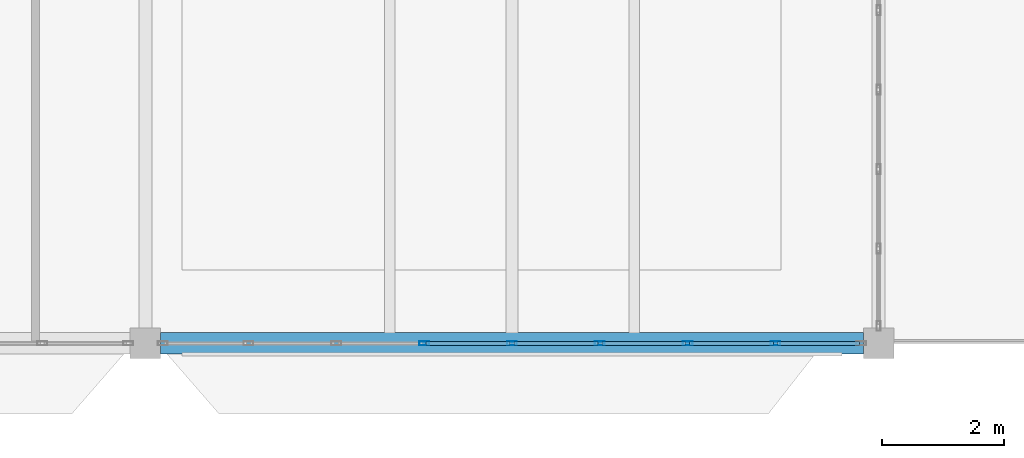
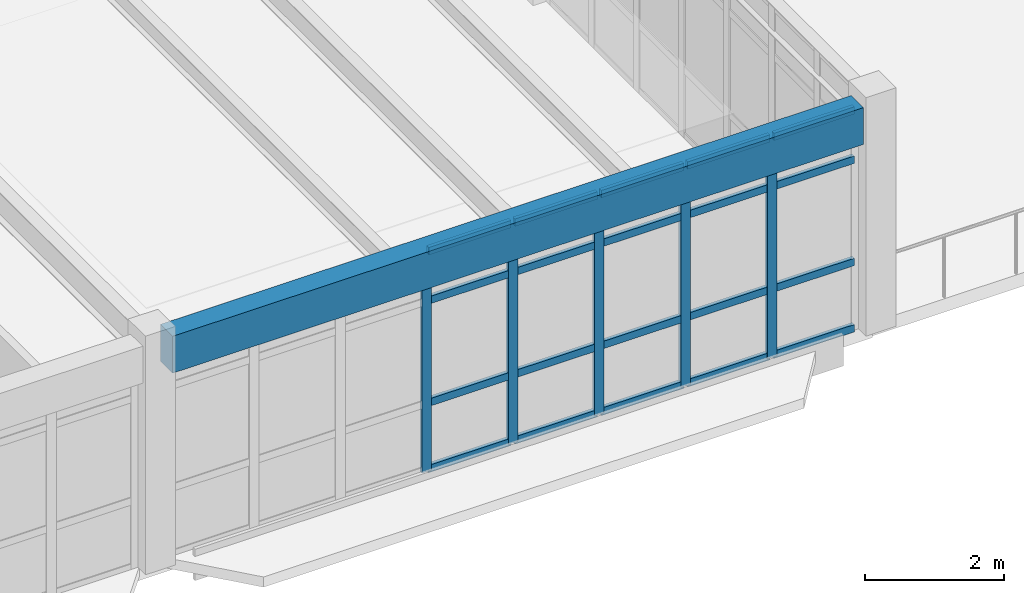
# One storey, part 11 of 83: 25 members, 1 beam, 1 element without a shape of its own.
"""IFC4 building model written with IfcOpenShell, lengths in metres."""

import ifcopenshell
import ifcopenshell.guid

model = None  # the IFC model being written
_history = None  # IfcOwnerHistory: only IFC2X3 demands one
_inside = {}  # id of a spatial element -> (the spatial element, [elements in it])
_under = {}  # id of a project, library or spatial element -> (it, [spatial elements below it])
_declared = {}  # id of a project -> (the project, [libraries it declares])
_typed = {}  # id of a type object -> (the type object, [elements of that type])
_made_of = {}  # id of a material, layer set ... -> (it, [elements and type objects made of it])


def new_model(schema):
    """Start an empty IFC model of exactly this schema.

    Asked for "IFC4X3", IfcOpenShell would pick the latest addendum, in which some entities
    have other attributes; the version numbers below select the first issue.
    IFC2X3 requires an IfcOwnerHistory on every rooted entity: one is made here for all.
    """
    global model, _history
    if schema == "IFC4X3":
        model = ifcopenshell.file(schema_version=(4, 3, 0, 0))
    else:
        model = ifcopenshell.file(schema=schema)
    _inside.clear()
    _under.clear()
    _declared.clear()
    _typed.clear()
    _made_of.clear()
    _history = None
    if model.schema == "IFC2X3":
        org = make("IfcOrganization", Name="unknown")
        user = make(
            "IfcPersonAndOrganization",
            ThePerson=make("IfcPerson", FamilyName="unknown"),
            TheOrganization=org,
        )
        app = make(
            "IfcApplication",
            ApplicationDeveloper=org,
            Version="unknown",
            ApplicationFullName="unknown",
            ApplicationIdentifier="unknown",
        )
        _history = make(
            "IfcOwnerHistory",
            OwningUser=user,
            OwningApplication=app,
            ChangeAction="ADDED",
            CreationDate=0,
        )
    return model


def make(cls, **values):
    """One entity of the class cls with the attributes given. An attribute that is None is left unset."""
    return model.create_entity(
        cls, **{name: value for name, value in values.items() if value is not None}
    )


def rooted(cls, **values):
    """An entity with a GlobalId (a new one), such as an element, a storey or a relation."""
    return make(cls, GlobalId=ifcopenshell.guid.new(), OwnerHistory=_history, **values)


def si_unit(unit_type, name, prefix=None):
    """IfcSIUnit, for example si_unit("LENGTHUNIT", "METRE", prefix="MILLI")."""
    return make("IfcSIUnit", UnitType=unit_type, Prefix=prefix, Name=name)


def assignment(units):
    """IfcUnitAssignment: the units of a project."""
    return None if units is None else make("IfcUnitAssignment", Units=units)


def point(xyz):
    """IfcCartesianPoint."""
    return None if xyz is None else make("IfcCartesianPoint", Coordinates=xyz)


def direction(xyz):
    """IfcDirection."""
    return None if xyz is None else make("IfcDirection", DirectionRatios=xyz)


def frame(location, z_axis=None, x_axis=None):
    """IfcAxis2Placement3D, a coordinate frame: its origin and axes. An axis left out is left unset."""
    return make(
        "IfcAxis2Placement3D",
        Location=point(location),
        Axis=direction(z_axis),
        RefDirection=direction(x_axis),
    )


def frame_2d(location, x_axis=None):
    """IfcAxis2Placement2D, a coordinate frame in the plane: its origin and x axis."""
    return make(
        "IfcAxis2Placement2D", Location=point(location), RefDirection=direction(x_axis)
    )


def origin():
    """The frame at (0, 0, 0) with its axes left unset."""
    return frame((0.0, 0.0, 0.0))


def origin_2d():
    """The frame at (0, 0) in the plane with its x axis left unset."""
    return frame_2d((0.0, 0.0))


def place(relative_to, where):
    """IfcLocalPlacement: puts the frame where relative to a parent placement (None: the world)."""
    return make(
        "IfcLocalPlacement", PlacementRelTo=relative_to, RelativePlacement=where
    )


def context(
    kind, dimensions, precision=None, world=None, true_north=None, identifier=None
):
    """IfcGeometricRepresentationContext, for example the 3D "Model" context."""
    return make(
        "IfcGeometricRepresentationContext",
        ContextIdentifier=identifier,
        ContextType=kind,
        CoordinateSpaceDimension=dimensions,
        Precision=precision,
        WorldCoordinateSystem=world,
        TrueNorth=true_north,
    )


def subcontext(parent, identifier, kind, view, scale=None):
    """IfcGeometricRepresentationSubContext, for example "Body" below "Model"."""
    return make(
        "IfcGeometricRepresentationSubContext",
        ContextIdentifier=identifier,
        ContextType=kind,
        ParentContext=parent,
        TargetScale=scale,
        TargetView=view,
    )


def project(units=None, contexts=None):
    """IfcProject with its units and contexts."""
    return rooted(
        "IfcProject",
        Name="project",
        RepresentationContexts=contexts,
        UnitsInContext=assignment(units),
    )


def spatial(cls, under=None, at=None, **own):
    """A site, building, storey or space (cls), placed at a placement, below another one or the project."""
    s = rooted(cls, ObjectPlacement=at, **own)
    if under is not None:
        _under.setdefault(under.id(), (under, []))[1].append(s)
    return s


def profile(cls, at=None, kind="AREA", **sizes):
    """A parametric profile (cls). Its sizes go by their IFC names, for example OverallWidth=200.0."""
    return make(cls, ProfileType=kind, Position=at, **sizes)


def rectangle(**sizes):
    """IfcRectangleProfileDef."""
    return profile("IfcRectangleProfileDef", **sizes)


def hollow_rectangle(**sizes):
    """IfcRectangleHollowProfileDef."""
    return profile("IfcRectangleHollowProfileDef", **sizes)


def extrude(swept, where, along, depth):
    """IfcExtrudedAreaSolid: the profile swept, set in the frame where, extruded along a direction by depth."""
    return make(
        "IfcExtrudedAreaSolid",
        SweptArea=swept,
        Position=where,
        ExtrudedDirection=direction(along),
        Depth=depth,
    )


def shape(context_of_items, identifier, shape_type, items):
    """IfcShapeRepresentation: the items that make up one representation, for example the "Body"."""
    return make(
        "IfcShapeRepresentation",
        ContextOfItems=context_of_items,
        RepresentationIdentifier=identifier,
        RepresentationType=shape_type,
        Items=items,
    )


def material(Name=None, Category=None):
    """IfcMaterial."""
    return make("IfcMaterial", Name=Name, Category=Category)


def layer(
    of_material, thickness, ventilated=None, Name=None, Category=None, Priority=None
):
    """IfcMaterialLayer: one layer of a wall or slab, of a material (None: an air gap)."""
    return make(
        "IfcMaterialLayer",
        Material=of_material,
        LayerThickness=thickness,
        IsVentilated=ventilated,
        Name=Name,
        Category=Category,
        Priority=Priority,
    )


def layer_set(layers, Name=None):
    """IfcMaterialLayerSet."""
    return make("IfcMaterialLayerSet", MaterialLayers=layers, LayerSetName=Name)


def material_profile(
    of_material, cross_section, Name=None, Category=None, Priority=None
):
    """IfcMaterialProfile: a cross section and its material."""
    return make(
        "IfcMaterialProfile",
        Name=Name,
        Material=of_material,
        Profile=cross_section,
        Priority=Priority,
        Category=Category,
    )


def profile_set(profiles, Name=None, composite=None):
    """IfcMaterialProfileSet."""
    return make(
        "IfcMaterialProfileSet",
        Name=Name,
        MaterialProfiles=profiles,
        CompositeProfile=composite,
    )


def made_of(thing, what):
    """Note that an element or type object is made of a material, layer set ...; save() writes the relation."""
    if what is not None:
        _made_of.setdefault(what.id(), (what, []))[1].append(thing)
    return thing


def type_object(cls, material=None, **own):
    """A type object (cls), such as IfcWallType, which elements share."""
    return made_of(rooted(cls, **own), material)


def element(
    cls,
    number,
    at=None,
    inside=None,
    cuts=None,
    type_object=None,
    material=None,
    context=None,
    identifier="Body",
    shape_type=None,
    held_by="IfcProductDefinitionShape",
    body=None,
    shapes=None,
    **own,
):
    """One element of the class cls, such as IfcWall. Its Tag is "e" and its number.

    at: its placement. inside: the storey or other place that contains it. cuts: it is an
    opening in that element (IfcRelVoidsElement). A single representation is given by context,
    identifier, shape_type and body (its items); several are given by shapes. held_by: the class
    of the entity that holds the representations. save() writes the other relations.
    """
    e = rooted(cls, Tag="e%d" % number, ObjectPlacement=at, **own)
    if body is not None:
        shapes = [shape(context, identifier, shape_type, body)]
    if shapes is not None:
        e.Representation = make(held_by, Representations=shapes)
    if inside is not None:
        _inside.setdefault(inside.id(), (inside, []))[1].append(e)
    if cuts is not None:
        rooted(
            "IfcRelVoidsElement", RelatingBuildingElement=cuts, RelatedOpeningElement=e
        )
    if type_object is not None:
        _typed.setdefault(type_object.id(), (type_object, []))[1].append(e)
    return made_of(e, material)


def aggregate(whole, parts):
    """IfcRelAggregates: a whole, such as a stair, and the parts it consists of."""
    return rooted("IfcRelAggregates", RelatingObject=whole, RelatedObjects=parts)


def save(model, path):
    """Write the relations noted so far, then the file.

    IfcRelAggregates (storeys below a building ...), IfcRelContainedInSpatialStructure (elements
    in a storey), IfcRelDefinesByType, IfcRelAssociatesMaterial and IfcRelDeclares: one each for
    every whole, place, type object, material and project.
    """
    for whole, parts in _under.values():
        aggregate(whole, parts)
    for where, things in _inside.values():
        rooted(
            "IfcRelContainedInSpatialStructure",
            RelatedElements=things,
            RelatingStructure=where,
        )
    for kind, things in _typed.values():
        rooted("IfcRelDefinesByType", RelatedObjects=things, RelatingType=kind)
    for what, things in _made_of.values():
        rooted("IfcRelAssociatesMaterial", RelatedObjects=things, RelatingMaterial=what)
    for by, libraries in _declared.values():
        rooted("IfcRelDeclares", RelatingContext=by, RelatedDefinitions=libraries)
    model.write(path)


model = new_model("IFC4")

# Units and contexts
model_context = context("Model", 3, precision=1e-05, world=origin(), true_north=direction((0.0, 1.0)))
body_context = subcontext(model_context, "Body", "Model", "MODEL_VIEW")
ifc_project = project(units=[si_unit("LENGTHUNIT", "METRE"), si_unit("AREAUNIT", "SQUARE_METRE"), si_unit("VOLUMEUNIT", "CUBIC_METRE"), si_unit("PLANEANGLEUNIT", "RADIAN"), si_unit("MASSUNIT", "GRAM", prefix="KILO")], contexts=[model_context])

# Site, building, storey
site_placement = place(None, origin())
site = spatial("IfcSite", under=ifc_project, at=site_placement, CompositionType="ELEMENT")
building_placement = place(site_placement, origin())
building = spatial("IfcBuilding", under=site, at=building_placement, Name="Pandanus Reach Market Hall", CompositionType="ELEMENT")
storey_placement = place(building_placement, frame((0.0, 0.0, 10.199951171875)))
storey = spatial("IfcBuildingStorey", under=building, at=storey_placement, Name="L02", CompositionType="ELEMENT", Elevation=10.199951171875)

# Beam
ifc_material_1 = material(Name="Concrete N40 (40 MPa)", Category="concrete")
ifc_material_profile_1 = material_profile(ifc_material_1, rectangle(XDim=0.35009765625, YDim=0.64990234375, at=origin_2d()), Name="RC350x650", Category="LoadBearing")
ifc_profile_set_1 = profile_set([ifc_material_profile_1], Name="Concrete N40 (40 MPa)")
beam_type = type_object("IfcBeamType", Name="BM-RC350-E", PredefinedType="SPANDREL", material=ifc_profile_set_1)
beam_placement = place(storey_placement, frame((12.248046875, 0.0, 3.655029296875), z_axis=(1.0, 0.0, 0.0), x_axis=(0.0, 1.0, 0.0)))
element("IfcBeam", 1, at=beam_placement, inside=storey, type_object=beam_type, Name="Framing beam BM-RC350-E L02.1012", PredefinedType="SPANDREL", context=body_context, shape_type="SweptSolid", body=[
    extrude(rectangle(XDim=0.35009765625, YDim=0.64990234375, at=origin_2d()), origin(), (0.0, 0.0, 1.0), 11.50390625),
])

# Curtain wall, members
ifc_material_2 = material(Name="Bronze anodised aluminium and low-E glass", Category="aluminium")
ifc_layer = layer(ifc_material_2, 0.159912109375, Name="CW-21")
ifc_layer_set = layer_set([ifc_layer], Name="Bronze anodised aluminium and low-E glass")
curtain_wall_type = type_object("IfcCurtainWallType", Name="CW-21", PredefinedType="NOTDEFINED", material=ifc_layer_set)
curtain_wall_placement = place(storey_placement, origin())
curtain_wall = element("IfcCurtainWall", 2, at=curtain_wall_placement, inside=storey, type_object=curtain_wall_type, Name="Glazed curtain wall CW-21 CW-0064", PredefinedType="NOTDEFINED")
ifc_material_3 = material(Name="Bronze anodised aluminium", Category="aluminium")
ifc_material_profile_2 = material_profile(ifc_material_3, hollow_rectangle(XDim=0.06494140625, YDim=0.159912109375, WallThickness=0.00390625, at=origin_2d()), Name="ALU65x160", Category="LoadBearing")
ifc_profile_set_2 = profile_set([ifc_material_profile_2], Name="Bronze anodised aluminium")
member_type_1 = type_object("IfcMemberType", Name="CW-M1", PredefinedType="MULLION", material=ifc_profile_set_2)
member_1_placement = place(storey_placement, frame((16.5625, 0.0, 0.0), z_axis=(0.0, 0.0, 1.0), x_axis=(0.0, 1.0, 0.0)))
member_1 = element("IfcMember", 3, at=member_1_placement, type_object=member_type_1, Name="CW-21 mullion 4", PredefinedType="MULLION", context=body_context, shape_type="SweptSolid", body=[
    extrude(hollow_rectangle(XDim=0.06494140625, YDim=0.159912109375, WallThickness=0.00390625, at=origin_2d()), origin(), (0.0, 0.0, 1.0), 3.900146484375),
])
member_2_placement = place(storey_placement, frame((18.0, 0.0, 0.0), z_axis=(0.0, 0.0, 1.0), x_axis=(0.0, 1.0, 0.0)))
member_2 = element("IfcMember", 4, at=member_2_placement, type_object=member_type_1, Name="CW-21 mullion 5", PredefinedType="MULLION", context=body_context, shape_type="SweptSolid", body=[
    extrude(hollow_rectangle(XDim=0.06494140625, YDim=0.159912109375, WallThickness=0.00390625, at=origin_2d()), origin(), (0.0, 0.0, 1.0), 3.900146484375),
])
member_3_placement = place(storey_placement, frame((19.4375, 0.0, 0.0), z_axis=(0.0, 0.0, 1.0), x_axis=(0.0, 1.0, 0.0)))
member_3 = element("IfcMember", 5, at=member_3_placement, type_object=member_type_1, Name="CW-21 mullion 6", PredefinedType="MULLION", context=body_context, shape_type="SweptSolid", body=[
    extrude(hollow_rectangle(XDim=0.06494140625, YDim=0.159912109375, WallThickness=0.00390625, at=origin_2d()), origin(), (0.0, 0.0, 1.0), 3.900146484375),
])
member_4_placement = place(storey_placement, frame((20.875, 0.0, 0.0), z_axis=(0.0, 0.0, 1.0), x_axis=(0.0, 1.0, 0.0)))
member_4 = element("IfcMember", 6, at=member_4_placement, type_object=member_type_1, Name="CW-21 mullion 7", PredefinedType="MULLION", context=body_context, shape_type="SweptSolid", body=[
    extrude(hollow_rectangle(XDim=0.06494140625, YDim=0.159912109375, WallThickness=0.00390625, at=origin_2d()), origin(), (0.0, 0.0, 1.0), 3.900146484375),
])
member_5_placement = place(storey_placement, frame((22.3125, 0.0, 0.0), z_axis=(0.0, 0.0, 1.0), x_axis=(0.0, 1.0, 0.0)))
member_5 = element("IfcMember", 7, at=member_5_placement, type_object=member_type_1, Name="CW-21 mullion 8", PredefinedType="MULLION", context=body_context, shape_type="SweptSolid", body=[
    extrude(hollow_rectangle(XDim=0.06494140625, YDim=0.159912109375, WallThickness=0.00390625, at=origin_2d()), origin(), (0.0, 0.0, 1.0), 3.900146484375),
])
ifc_material_profile_3 = material_profile(ifc_material_3, hollow_rectangle(XDim=0.06494140625, YDim=0.1298828125, WallThickness=0.00390625, at=origin_2d()), Name="ALU65x130", Category="LoadBearing")
ifc_profile_set_3 = profile_set([ifc_material_profile_3], Name="Bronze anodised aluminium")
member_type_2 = type_object("IfcMemberType", Name="CW-T1", PredefinedType="USERDEFINED", material=ifc_profile_set_3)
member_6_placement = place(storey_placement, frame((16.594970703125, 0.0, 0.032470703125), z_axis=(1.0, 0.0, 0.0), x_axis=(0.0, 1.0, 0.0)))
member_6 = element("IfcMember", 8, at=member_6_placement, type_object=member_type_2, Name="CW-21 transom 4.1", ObjectType="TRANSOM", PredefinedType="USERDEFINED", context=body_context, shape_type="SweptSolid", body=[
    extrude(hollow_rectangle(XDim=0.06494140625, YDim=0.1298828125, WallThickness=0.00390625, at=origin_2d()), origin(), (0.0, 0.0, 1.0), 1.37255859375),
])
member_7_placement = place(storey_placement, frame((16.594970703125, 0.0, 1.199951171875), z_axis=(1.0, 0.0, 0.0), x_axis=(0.0, 1.0, 0.0)))
member_7 = element("IfcMember", 9, at=member_7_placement, type_object=member_type_2, Name="CW-21 transom 4.2", ObjectType="TRANSOM", PredefinedType="USERDEFINED", context=body_context, shape_type="SweptSolid", body=[
    extrude(hollow_rectangle(XDim=0.06494140625, YDim=0.1298828125, WallThickness=0.00390625, at=origin_2d()), origin(), (0.0, 0.0, 1.0), 1.37255859375),
])
member_8_placement = place(storey_placement, frame((16.594970703125, 0.0, 3.0), z_axis=(1.0, 0.0, 0.0), x_axis=(0.0, 1.0, 0.0)))
member_8 = element("IfcMember", 10, at=member_8_placement, type_object=member_type_2, Name="CW-21 transom 4.3", ObjectType="TRANSOM", PredefinedType="USERDEFINED", context=body_context, shape_type="SweptSolid", body=[
    extrude(hollow_rectangle(XDim=0.06494140625, YDim=0.1298828125, WallThickness=0.00390625, at=origin_2d()), origin(), (0.0, 0.0, 1.0), 1.37255859375),
])
member_9_placement = place(storey_placement, frame((16.594970703125, 0.0, 3.867431640625), z_axis=(1.0, 0.0, 0.0), x_axis=(0.0, 1.0, 0.0)))
member_9 = element("IfcMember", 11, at=member_9_placement, type_object=member_type_2, Name="CW-21 transom 4.4", ObjectType="TRANSOM", PredefinedType="USERDEFINED", context=body_context, shape_type="SweptSolid", body=[
    extrude(hollow_rectangle(XDim=0.06494140625, YDim=0.1298828125, WallThickness=0.00390625, at=origin_2d()), origin(), (0.0, 0.0, 1.0), 1.37255859375),
])
member_10_placement = place(storey_placement, frame((18.032470703125, 0.0, 0.032470703125), z_axis=(1.0, 0.0, 0.0), x_axis=(0.0, 1.0, 0.0)))
member_10 = element("IfcMember", 12, at=member_10_placement, type_object=member_type_2, Name="CW-21 transom 5.1", ObjectType="TRANSOM", PredefinedType="USERDEFINED", context=body_context, shape_type="SweptSolid", body=[
    extrude(hollow_rectangle(XDim=0.06494140625, YDim=0.1298828125, WallThickness=0.00390625, at=origin_2d()), origin(), (0.0, 0.0, 1.0), 1.37255859375),
])
member_11_placement = place(storey_placement, frame((18.032470703125, 0.0, 1.199951171875), z_axis=(1.0, 0.0, 0.0), x_axis=(0.0, 1.0, 0.0)))
member_11 = element("IfcMember", 13, at=member_11_placement, type_object=member_type_2, Name="CW-21 transom 5.2", ObjectType="TRANSOM", PredefinedType="USERDEFINED", context=body_context, shape_type="SweptSolid", body=[
    extrude(hollow_rectangle(XDim=0.06494140625, YDim=0.1298828125, WallThickness=0.00390625, at=origin_2d()), origin(), (0.0, 0.0, 1.0), 1.37255859375),
])
member_12_placement = place(storey_placement, frame((18.032470703125, 0.0, 3.0), z_axis=(1.0, 0.0, 0.0), x_axis=(0.0, 1.0, 0.0)))
member_12 = element("IfcMember", 14, at=member_12_placement, type_object=member_type_2, Name="CW-21 transom 5.3", ObjectType="TRANSOM", PredefinedType="USERDEFINED", context=body_context, shape_type="SweptSolid", body=[
    extrude(hollow_rectangle(XDim=0.06494140625, YDim=0.1298828125, WallThickness=0.00390625, at=origin_2d()), origin(), (0.0, 0.0, 1.0), 1.37255859375),
])
member_13_placement = place(storey_placement, frame((18.032470703125, 0.0, 3.867431640625), z_axis=(1.0, 0.0, 0.0), x_axis=(0.0, 1.0, 0.0)))
member_13 = element("IfcMember", 15, at=member_13_placement, type_object=member_type_2, Name="CW-21 transom 5.4", ObjectType="TRANSOM", PredefinedType="USERDEFINED", context=body_context, shape_type="SweptSolid", body=[
    extrude(hollow_rectangle(XDim=0.06494140625, YDim=0.1298828125, WallThickness=0.00390625, at=origin_2d()), origin(), (0.0, 0.0, 1.0), 1.37255859375),
])
member_14_placement = place(storey_placement, frame((19.469970703125, 0.0, 0.032470703125), z_axis=(1.0, 0.0, 0.0), x_axis=(0.0, 1.0, 0.0)))
member_14 = element("IfcMember", 16, at=member_14_placement, type_object=member_type_2, Name="CW-21 transom 6.1", ObjectType="TRANSOM", PredefinedType="USERDEFINED", context=body_context, shape_type="SweptSolid", body=[
    extrude(hollow_rectangle(XDim=0.06494140625, YDim=0.1298828125, WallThickness=0.00390625, at=origin_2d()), origin(), (0.0, 0.0, 1.0), 1.37255859375),
])
member_15_placement = place(storey_placement, frame((19.469970703125, 0.0, 1.199951171875), z_axis=(1.0, 0.0, 0.0), x_axis=(0.0, 1.0, 0.0)))
member_15 = element("IfcMember", 17, at=member_15_placement, type_object=member_type_2, Name="CW-21 transom 6.2", ObjectType="TRANSOM", PredefinedType="USERDEFINED", context=body_context, shape_type="SweptSolid", body=[
    extrude(hollow_rectangle(XDim=0.06494140625, YDim=0.1298828125, WallThickness=0.00390625, at=origin_2d()), origin(), (0.0, 0.0, 1.0), 1.37255859375),
])
member_16_placement = place(storey_placement, frame((19.469970703125, 0.0, 3.0), z_axis=(1.0, 0.0, 0.0), x_axis=(0.0, 1.0, 0.0)))
member_16 = element("IfcMember", 18, at=member_16_placement, type_object=member_type_2, Name="CW-21 transom 6.3", ObjectType="TRANSOM", PredefinedType="USERDEFINED", context=body_context, shape_type="SweptSolid", body=[
    extrude(hollow_rectangle(XDim=0.06494140625, YDim=0.1298828125, WallThickness=0.00390625, at=origin_2d()), origin(), (0.0, 0.0, 1.0), 1.37255859375),
])
member_17_placement = place(storey_placement, frame((19.469970703125, 0.0, 3.867431640625), z_axis=(1.0, 0.0, 0.0), x_axis=(0.0, 1.0, 0.0)))
member_17 = element("IfcMember", 19, at=member_17_placement, type_object=member_type_2, Name="CW-21 transom 6.4", ObjectType="TRANSOM", PredefinedType="USERDEFINED", context=body_context, shape_type="SweptSolid", body=[
    extrude(hollow_rectangle(XDim=0.06494140625, YDim=0.1298828125, WallThickness=0.00390625, at=origin_2d()), origin(), (0.0, 0.0, 1.0), 1.37255859375),
])
member_18_placement = place(storey_placement, frame((20.907470703125, 0.0, 0.032470703125), z_axis=(1.0, 0.0, 0.0), x_axis=(0.0, 1.0, 0.0)))
member_18 = element("IfcMember", 20, at=member_18_placement, type_object=member_type_2, Name="CW-21 transom 7.1", ObjectType="TRANSOM", PredefinedType="USERDEFINED", context=body_context, shape_type="SweptSolid", body=[
    extrude(hollow_rectangle(XDim=0.06494140625, YDim=0.1298828125, WallThickness=0.00390625, at=origin_2d()), origin(), (0.0, 0.0, 1.0), 1.37255859375),
])
member_19_placement = place(storey_placement, frame((20.907470703125, 0.0, 1.199951171875), z_axis=(1.0, 0.0, 0.0), x_axis=(0.0, 1.0, 0.0)))
member_19 = element("IfcMember", 21, at=member_19_placement, type_object=member_type_2, Name="CW-21 transom 7.2", ObjectType="TRANSOM", PredefinedType="USERDEFINED", context=body_context, shape_type="SweptSolid", body=[
    extrude(hollow_rectangle(XDim=0.06494140625, YDim=0.1298828125, WallThickness=0.00390625, at=origin_2d()), origin(), (0.0, 0.0, 1.0), 1.37255859375),
])
member_20_placement = place(storey_placement, frame((20.907470703125, 0.0, 3.0), z_axis=(1.0, 0.0, 0.0), x_axis=(0.0, 1.0, 0.0)))
member_20 = element("IfcMember", 22, at=member_20_placement, type_object=member_type_2, Name="CW-21 transom 7.3", ObjectType="TRANSOM", PredefinedType="USERDEFINED", context=body_context, shape_type="SweptSolid", body=[
    extrude(hollow_rectangle(XDim=0.06494140625, YDim=0.1298828125, WallThickness=0.00390625, at=origin_2d()), origin(), (0.0, 0.0, 1.0), 1.37255859375),
])
member_21_placement = place(storey_placement, frame((20.907470703125, 0.0, 3.867431640625), z_axis=(1.0, 0.0, 0.0), x_axis=(0.0, 1.0, 0.0)))
member_21 = element("IfcMember", 23, at=member_21_placement, type_object=member_type_2, Name="CW-21 transom 7.4", ObjectType="TRANSOM", PredefinedType="USERDEFINED", context=body_context, shape_type="SweptSolid", body=[
    extrude(hollow_rectangle(XDim=0.06494140625, YDim=0.1298828125, WallThickness=0.00390625, at=origin_2d()), origin(), (0.0, 0.0, 1.0), 1.37255859375),
])
member_22_placement = place(storey_placement, frame((22.344970703125, 0.0, 0.032470703125), z_axis=(1.0, 0.0, 0.0), x_axis=(0.0, 1.0, 0.0)))
member_22 = element("IfcMember", 24, at=member_22_placement, type_object=member_type_2, Name="CW-21 transom 8.1", ObjectType="TRANSOM", PredefinedType="USERDEFINED", context=body_context, shape_type="SweptSolid", body=[
    extrude(hollow_rectangle(XDim=0.06494140625, YDim=0.1298828125, WallThickness=0.00390625, at=origin_2d()), origin(), (0.0, 0.0, 1.0), 1.340087890625),
])
member_23_placement = place(storey_placement, frame((22.344970703125, 0.0, 1.199951171875), z_axis=(1.0, 0.0, 0.0), x_axis=(0.0, 1.0, 0.0)))
member_23 = element("IfcMember", 25, at=member_23_placement, type_object=member_type_2, Name="CW-21 transom 8.2", ObjectType="TRANSOM", PredefinedType="USERDEFINED", context=body_context, shape_type="SweptSolid", body=[
    extrude(hollow_rectangle(XDim=0.06494140625, YDim=0.1298828125, WallThickness=0.00390625, at=origin_2d()), origin(), (0.0, 0.0, 1.0), 1.340087890625),
])
member_24_placement = place(storey_placement, frame((22.344970703125, 0.0, 3.0), z_axis=(1.0, 0.0, 0.0), x_axis=(0.0, 1.0, 0.0)))
member_24 = element("IfcMember", 26, at=member_24_placement, type_object=member_type_2, Name="CW-21 transom 8.3", ObjectType="TRANSOM", PredefinedType="USERDEFINED", context=body_context, shape_type="SweptSolid", body=[
    extrude(hollow_rectangle(XDim=0.06494140625, YDim=0.1298828125, WallThickness=0.00390625, at=origin_2d()), origin(), (0.0, 0.0, 1.0), 1.340087890625),
])
member_25_placement = place(storey_placement, frame((22.344970703125, 0.0, 3.867431640625), z_axis=(1.0, 0.0, 0.0), x_axis=(0.0, 1.0, 0.0)))
member_25 = element("IfcMember", 27, at=member_25_placement, type_object=member_type_2, Name="CW-21 transom 8.4", ObjectType="TRANSOM", PredefinedType="USERDEFINED", context=body_context, shape_type="SweptSolid", body=[
    extrude(hollow_rectangle(XDim=0.06494140625, YDim=0.1298828125, WallThickness=0.00390625, at=origin_2d()), origin(), (0.0, 0.0, 1.0), 1.340087890625),
])
aggregate(curtain_wall, [member_1, member_2, member_3, member_4, member_5, member_6, member_7, member_8, member_9, member_10, member_11, member_12, member_13, member_14, member_15, member_16, member_17, member_18, member_19, member_20, member_21, member_22, member_23, member_24, member_25])

save(model, "model.ifc")
